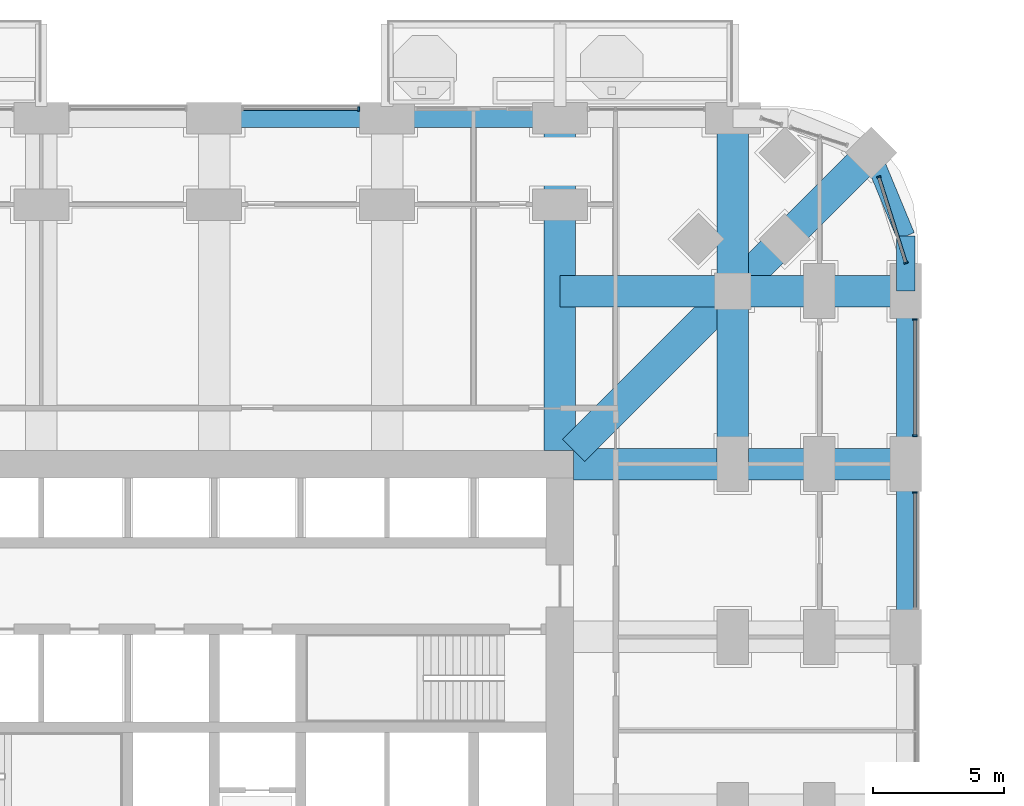
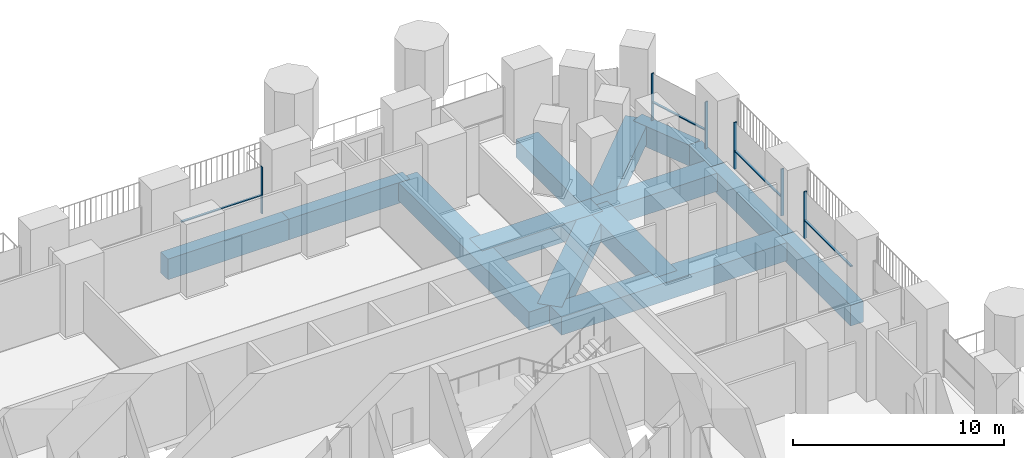
# One storey, part 9 of 27: 14 beams, 10 members, 4 elements without a shape of their own.
"""IFC4 building model written with IfcOpenShell, lengths in metres."""

from ifc_helpers import new_model, si_unit, direction, frame, origin, origin_2d, place, context, subcontext, project, spatial, rectangle, extrude, material, material_profile, profile_set, type_object, element, aggregate, save


model = new_model("IFC4")

# Units and contexts
model_context = context("Model", 3, precision=1e-05, world=origin(), true_north=direction((0.0, 1.0)))
body_context = subcontext(model_context, "Body", "Model", "MODEL_VIEW")
ifc_project = project(units=[si_unit("LENGTHUNIT", "METRE"), si_unit("AREAUNIT", "SQUARE_METRE"), si_unit("VOLUMEUNIT", "CUBIC_METRE"), si_unit("PLANEANGLEUNIT", "RADIAN"), si_unit("MASSUNIT", "GRAM", prefix="KILO")], contexts=[model_context])

# Site, building, storey
site_placement = place(None, origin())
site = spatial("IfcSite", under=ifc_project, at=site_placement, CompositionType="ELEMENT")
building_placement = place(site_placement, origin())
building = spatial("IfcBuilding", under=site, at=building_placement, Name="Cobogo Forest Laboratory Tower", CompositionType="ELEMENT")
storey_placement = place(building_placement, frame((0.0, 0.0, 46.5)))
storey = spatial("IfcBuildingStorey", under=building, at=storey_placement, Name="L10", CompositionType="ELEMENT", Elevation=46.5)

# Beams
ifc_material_1 = material(Name="Concrete HA-40 (C40/50)", Category="concrete")
ifc_material_profile_1 = material_profile(ifc_material_1, rectangle(XDim=1.199951171875, YDim=1.050048828125, at=origin_2d()), Name="RC 1200x1050")
ifc_profile_set_1 = profile_set([ifc_material_profile_1], Name="Concrete HA-40 (C40/50)")
beam_type_1 = type_object("IfcBeamType", Name="Laboratory floor wide beam 1200x1050", PredefinedType="BEAM", material=ifc_profile_set_1)
for number, where, z_axis, x_axis, name in (
    (1, (39.60009765625, 33.52490234375, -0.824951171875), (0.0, 1.0, 0.0), (-1.0, 0.0, 0.0), "RB1 R-7-N L10"),
    (2, (40.125, 33.0, -0.824951171875), (1.0, 0.0, 0.0), (0.0, 1.0, 0.0), "RB1 R-F-E L10"),
):
    element("IfcBeam", number, at=place(storey_placement, frame(where, z_axis=z_axis, x_axis=x_axis)), inside=storey, type_object=beam_type_1, Name=name, PredefinedType="BEAM", context=body_context, shape_type="SweptSolid", body=[
        extrude(rectangle(XDim=1.199951171875, YDim=1.050048828125, at=origin_2d()), origin(), (0.0, 0.0, 1.0), 12.675048828125),
    ])
beam_1_placement = place(storey_placement, frame((46.199951171875, 46.199951171875, -0.824951171875), z_axis=(0.0, -1.0, 0.0), x_axis=(1.0, 0.0, 0.0)))
element("IfcBeam", 3, at=beam_1_placement, inside=storey, type_object=beam_type_1, Name="RB1 G-NE-XF L10", PredefinedType="BEAM", context=body_context, shape_type="SweptSolid", body=[
    extrude(rectangle(XDim=1.199951171875, YDim=1.050048828125, at=origin_2d()), origin(), (0.0, 0.0, 1.0), 6.599853515625),
])
for number, where, z_axis, x_axis, name in (
    (4, (46.199951171875, 39.60009765625, -0.824951171875), (0.0, -1.0, 0.0), (1.0, 0.0, 0.0), "RB1 G-NE-XC L10"),
    (5, (52.800048828125, 39.60009765625, -0.824951171875), (-1.0, 0.0, 0.0), (0.0, -1.0, 0.0), "RB1 G-NE-YF L10"),
):
    element("IfcBeam", number, at=place(storey_placement, frame(where, z_axis=z_axis, x_axis=x_axis)), inside=storey, type_object=beam_type_1, Name=name, PredefinedType="BEAM", context=body_context, shape_type="SweptSolid", body=[
        extrude(rectangle(XDim=1.199951171875, YDim=1.050048828125, at=origin_2d()), origin(), (0.0, 0.0, 1.0), 6.60009765625),
    ])
beam_2_placement = place(storey_placement, frame((46.199951171875, 39.60009765625, -0.824951171875), z_axis=(-1.0, 0.0, 0.0), x_axis=(0.0, -1.0, 0.0)))
element("IfcBeam", 6, at=beam_2_placement, inside=storey, type_object=beam_type_1, Name="RB1 G-NE-YC L10", PredefinedType="BEAM", context=body_context, shape_type="SweptSolid", body=[
    extrude(rectangle(XDim=1.199951171875, YDim=1.050048828125, at=origin_2d()), origin(), (0.0, 0.0, 1.0), 6.599853515625),
])
beam_3_placement = place(storey_placement, frame((51.48193359375, 44.882080078125, -0.824951171875), z_axis=(-0.707106781187, -0.707106781187, 0.0), x_axis=(0.707106781187, -0.707106781187, 0.0)))
element("IfcBeam", 7, at=beam_3_placement, inside=storey, type_object=beam_type_1, Name="RB1 G-NE-D1 L10", PredefinedType="BEAM", context=body_context, shape_type="SweptSolid", body=[
    extrude(rectangle(XDim=1.199951171875, YDim=1.050048828125, at=origin_2d()), origin(), (0.0, 0.0, 1.0), 7.469970703125),
])
beam_4_placement = place(storey_placement, frame((46.199951171875, 39.60009765625, -0.824951171875), z_axis=(-0.707092572697, -0.70712098939, 0.0), x_axis=(0.70712098939, -0.707092572697, 0.0)))
element("IfcBeam", 8, at=beam_4_placement, inside=storey, type_object=beam_type_1, Name="RB1 G-NE-D2 L10", PredefinedType="BEAM", context=body_context, shape_type="SweptSolid", body=[
    extrude(rectangle(XDim=1.199951171875, YDim=1.050048828125, at=origin_2d()), origin(), (0.0, 0.0, 1.0), 8.591552734375),
])

# Curtain wall, member
ifc_material_2 = material(Name="Aluminium curtain wall", Category="aluminium")
curtain_wall_type = type_object("IfcCurtainWallType", Name="CW-1 unitised curtain wall, clear glazing, laboratory floors zones A and B", PredefinedType="USERDEFINED", material=ifc_material_2)
curtain_wall_1_placement = place(storey_placement, origin())
curtain_wall_1 = element("IfcCurtainWall", 9, at=curtain_wall_1_placement, inside=storey, type_object=curtain_wall_type, Name="Curtain wall 13 L10", ObjectType="UNITISED CURTAIN WALL", PredefinedType="USERDEFINED")
ifc_material_3 = material(Name="Aluminium mullion", Category="aluminium")
ifc_material_profile_2 = material_profile(ifc_material_3, rectangle(XDim=0.06005859375, YDim=0.159912109375, at=origin_2d()), Name="AL 60x160")
ifc_profile_set_2 = profile_set([ifc_material_profile_2], Name="Aluminium mullion")
member_type_1 = type_object("IfcMemberType", Name="MU-1 aluminium mullion 60x160", PredefinedType="MULLION", material=ifc_profile_set_2)
member_1_placement = place(storey_placement, frame((53.14990234375, 31.919921875, 0.0), z_axis=(0.0, 0.0, 1.0), x_axis=(0.0, 1.0, 0.0)))
member_1 = element("IfcMember", 10, at=member_1_placement, type_object=member_type_1, Name="CW-1 mullion 2", PredefinedType="MULLION", context=body_context, shape_type="SweptSolid", body=[
    extrude(rectangle(XDim=0.06005859375, YDim=0.159912109375, at=origin_2d()), origin(), (0.0, 0.0, 1.0), 2.699951171875),
])

# Curtain wall, members
curtain_wall_2_placement = place(storey_placement, origin())
curtain_wall_2 = element("IfcCurtainWall", 11, at=curtain_wall_2_placement, inside=storey, type_object=curtain_wall_type, Name="Curtain wall 14 L10", ObjectType="UNITISED CURTAIN WALL", PredefinedType="USERDEFINED")
member_2_placement = place(storey_placement, frame((53.14990234375, 34.080078125, 0.0), z_axis=(0.0, 0.0, 1.0), x_axis=(0.0, 1.0, 0.0)))
member_2 = element("IfcMember", 12, at=member_2_placement, type_object=member_type_1, Name="CW-1 mullion 1", PredefinedType="MULLION", context=body_context, shape_type="SweptSolid", body=[
    extrude(rectangle(XDim=0.06005859375, YDim=0.159912109375, at=origin_2d()), origin(), (0.0, 0.0, 1.0), 2.699951171875),
])
member_3_placement = place(storey_placement, frame((53.14990234375, 38.52001953125, 0.0), z_axis=(0.0, 0.0, 1.0), x_axis=(0.0, 1.0, 0.0)))
member_3 = element("IfcMember", 13, at=member_3_placement, type_object=member_type_1, Name="CW-1 mullion 2", PredefinedType="MULLION", context=body_context, shape_type="SweptSolid", body=[
    extrude(rectangle(XDim=0.06005859375, YDim=0.159912109375, at=origin_2d()), origin(), (0.0, 0.0, 1.0), 2.699951171875),
])

curtain_wall_3_placement = place(storey_placement, origin())
curtain_wall_3 = element("IfcCurtainWall", 14, at=curtain_wall_3_placement, inside=storey, type_object=curtain_wall_type, Name="Curtain wall 15 L10", ObjectType="UNITISED CURTAIN WALL", PredefinedType="USERDEFINED")
member_4_placement = place(storey_placement, frame((52.809326171875, 40.6787109375, 0.0), z_axis=(0.0, 0.0, 1.0), x_axis=(-0.30113535792, 0.95358140513, 0.0)))
member_4 = element("IfcMember", 15, at=member_4_placement, type_object=member_type_1, Name="CW-1 mullion 1", PredefinedType="MULLION", context=body_context, shape_type="SweptSolid", body=[
    extrude(rectangle(XDim=0.06005859375, YDim=0.159912109375, at=origin_2d()), origin(), (0.0, 0.0, 1.0), 2.699951171875),
])
member_5_placement = place(storey_placement, frame((51.772705078125, 43.961181640625, 0.0), z_axis=(0.0, 0.0, 1.0), x_axis=(-0.30113535792, 0.95358140513, 0.0)))
member_5 = element("IfcMember", 16, at=member_5_placement, type_object=member_type_1, Name="CW-1 mullion 2", PredefinedType="MULLION", context=body_context, shape_type="SweptSolid", body=[
    extrude(rectangle(XDim=0.06005859375, YDim=0.159912109375, at=origin_2d()), origin(), (0.0, 0.0, 1.0), 2.699951171875),
])

# Curtain wall, member
curtain_wall_4_placement = place(storey_placement, origin())
curtain_wall_4 = element("IfcCurtainWall", 17, at=curtain_wall_4_placement, inside=storey, type_object=curtain_wall_type, Name="Curtain wall 20 L10", ObjectType="UNITISED CURTAIN WALL", PredefinedType="USERDEFINED")
member_6_placement = place(storey_placement, frame((31.919921875, 46.550048828125, 0.0), z_axis=(0.0, 0.0, 1.0), x_axis=(-1.0, 0.0, 0.0)))
member_6 = element("IfcMember", 18, at=member_6_placement, type_object=member_type_1, Name="CW-1 mullion 1", PredefinedType="MULLION", context=body_context, shape_type="SweptSolid", body=[
    extrude(rectangle(XDim=0.06005859375, YDim=0.159912109375, at=origin_2d()), origin(), (0.0, 0.0, 1.0), 2.699951171875),
])

# Beams
ifc_material_profile_3 = material_profile(ifc_material_1, rectangle(XDim=0.699951171875, YDim=1.199951171875, at=origin_2d()), Name="RC 700x1200")
ifc_profile_set_3 = profile_set([ifc_material_profile_3], Name="Concrete HA-40 (C40/50)")
beam_type_2 = type_object("IfcBeamType", Name="Perimeter edge beam 700x1200", PredefinedType="BEAM", material=ifc_profile_set_3)
for number, where, z_axis, x_axis, name in (
    (19, (52.800048828125, 26.39990234375, -0.89990234375), (0.0, 1.0, 0.0), (-1.0, 0.0, 0.0), "EB1 E-E4 L10"),
    (20, (52.800048828125, 33.0, -0.89990234375), (0.0, 1.0, 0.0), (-1.0, 0.0, 0.0), "EB1 E-E5 L10"),
    (21, (26.39990234375, 46.199951171875, -0.89990234375), (1.0, 0.0, 0.0), (0.0, 1.0, 0.0), "EB1 E-N4 L10"),
    (22, (33.0, 46.199951171875, -0.89990234375), (1.0, 0.0, 0.0), (0.0, 1.0, 0.0), "EB1 E-N5 L10"),
):
    element("IfcBeam", number, at=place(storey_placement, frame(where, z_axis=z_axis, x_axis=x_axis)), inside=storey, type_object=beam_type_2, Name=name, PredefinedType="BEAM", context=body_context, shape_type="SweptSolid", body=[
        extrude(rectangle(XDim=0.699951171875, YDim=1.199951171875, at=origin_2d()), origin(), (0.0, 0.0, 1.0), 6.60009765625),
    ])
beam_5_placement = place(storey_placement, frame((52.800048828125, 39.60009765625, -0.89990234375), z_axis=(0.0, 1.0, 0.0), x_axis=(-1.0, 0.0, 0.0)))
element("IfcBeam", 23, at=beam_5_placement, inside=storey, type_object=beam_type_2, Name="EB1 E-NEE1 L10", PredefinedType="BEAM", context=body_context, shape_type="SweptSolid", body=[
    extrude(rectangle(XDim=0.699951171875, YDim=1.199951171875, at=origin_2d()), origin(), (0.0, 0.0, 1.0), 2.099853515625),
])
beam_6_placement = place(storey_placement, frame((52.800048828125, 41.699951171875, -0.89990234375), z_axis=(-0.382691928466, 0.923876013265, 0.0), x_axis=(-0.923876013265, -0.382691928466, 0.0)))
element("IfcBeam", 24, at=beam_6_placement, inside=storey, type_object=beam_type_2, Name="EB1 E-NEE2 L10", PredefinedType="BEAM", context=body_context, shape_type="SweptSolid", body=[
    extrude(rectangle(XDim=0.699951171875, YDim=1.199951171875, at=origin_2d()), origin(), (0.0, 0.0, 1.0), 3.4443359375),
])

# Member
ifc_material_4 = material(Name="Aluminium transom", Category="aluminium")
ifc_material_profile_4 = material_profile(ifc_material_4, rectangle(XDim=0.1201171875, YDim=0.06005859375, at=origin_2d()), Name="AL 60x120")
ifc_profile_set_4 = profile_set([ifc_material_profile_4], Name="Aluminium transom")
member_type_2 = type_object("IfcMemberType", Name="TR-1 aluminium transom 60x120", PredefinedType="USERDEFINED", material=ifc_profile_set_4)
member_7_placement = place(storey_placement, frame((53.14990234375, 27.510009765625, 1.050048828125), z_axis=(0.0, 1.0, 0.0), x_axis=(-1.0, 0.0, 0.0)))
member_7 = element("IfcMember", 25, at=member_7_placement, type_object=member_type_2, Name="CW-1 transom 1.1", ObjectType="TRANSOM", PredefinedType="USERDEFINED", context=body_context, shape_type="SweptSolid", body=[
    extrude(rectangle(XDim=0.1201171875, YDim=0.06005859375, at=origin_2d()), origin(), (0.0, 0.0, 1.0), 4.3798828125),
])

aggregate(curtain_wall_1, [member_1, member_7])

member_8_placement = place(storey_placement, frame((53.14990234375, 34.110107421875, 1.050048828125), z_axis=(0.0, 1.0, 0.0), x_axis=(-1.0, 0.0, 0.0)))
member_8 = element("IfcMember", 26, at=member_8_placement, type_object=member_type_2, Name="CW-1 transom 1.1", ObjectType="TRANSOM", PredefinedType="USERDEFINED", context=body_context, shape_type="SweptSolid", body=[
    extrude(rectangle(XDim=0.1201171875, YDim=0.06005859375, at=origin_2d()), origin(), (0.0, 0.0, 1.0), 4.3798828125),
])

aggregate(curtain_wall_2, [member_2, member_3, member_8])

member_9_placement = place(storey_placement, frame((52.80029296875, 40.707275390625, 1.050048828125), z_axis=(-0.301138276922, 0.953580483322, 0.0), x_axis=(-0.953580483322, -0.301138276922, 0.0)))
member_9 = element("IfcMember", 27, at=member_9_placement, type_object=member_type_2, Name="CW-1 transom 1.1", ObjectType="TRANSOM", PredefinedType="USERDEFINED", context=body_context, shape_type="SweptSolid", body=[
    extrude(rectangle(XDim=0.1201171875, YDim=0.06005859375, at=origin_2d()), origin(), (0.0, 0.0, 1.0), 3.38232421875),
])

aggregate(curtain_wall_3, [member_4, member_5, member_9])

member_10_placement = place(storey_placement, frame((31.889892578125, 46.550048828125, 1.050048828125), z_axis=(-1.0, 0.0, 0.0), x_axis=(0.0, -1.0, 0.0)))
member_10 = element("IfcMember", 28, at=member_10_placement, type_object=member_type_2, Name="CW-1 transom 1.1", ObjectType="TRANSOM", PredefinedType="USERDEFINED", context=body_context, shape_type="SweptSolid", body=[
    extrude(rectangle(XDim=0.1201171875, YDim=0.06005859375, at=origin_2d()), origin(), (0.0, 0.0, 1.0), 4.3798828125),
])

aggregate(curtain_wall_4, [member_6, member_10])

save(model, "model.ifc")
